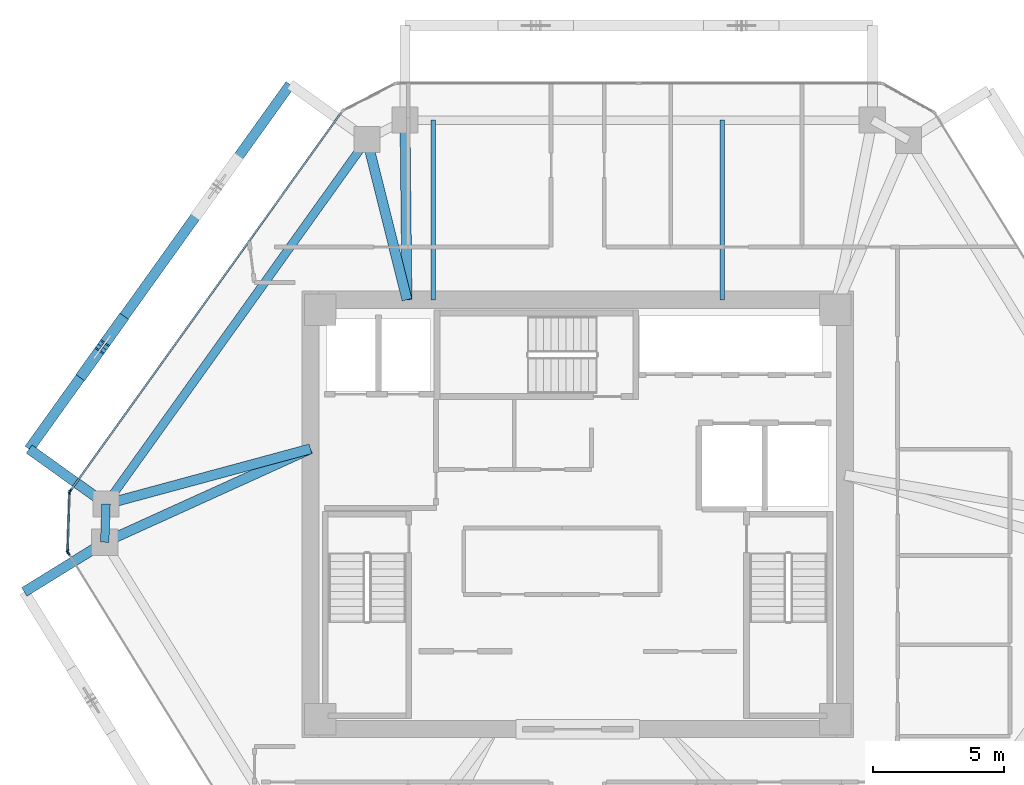
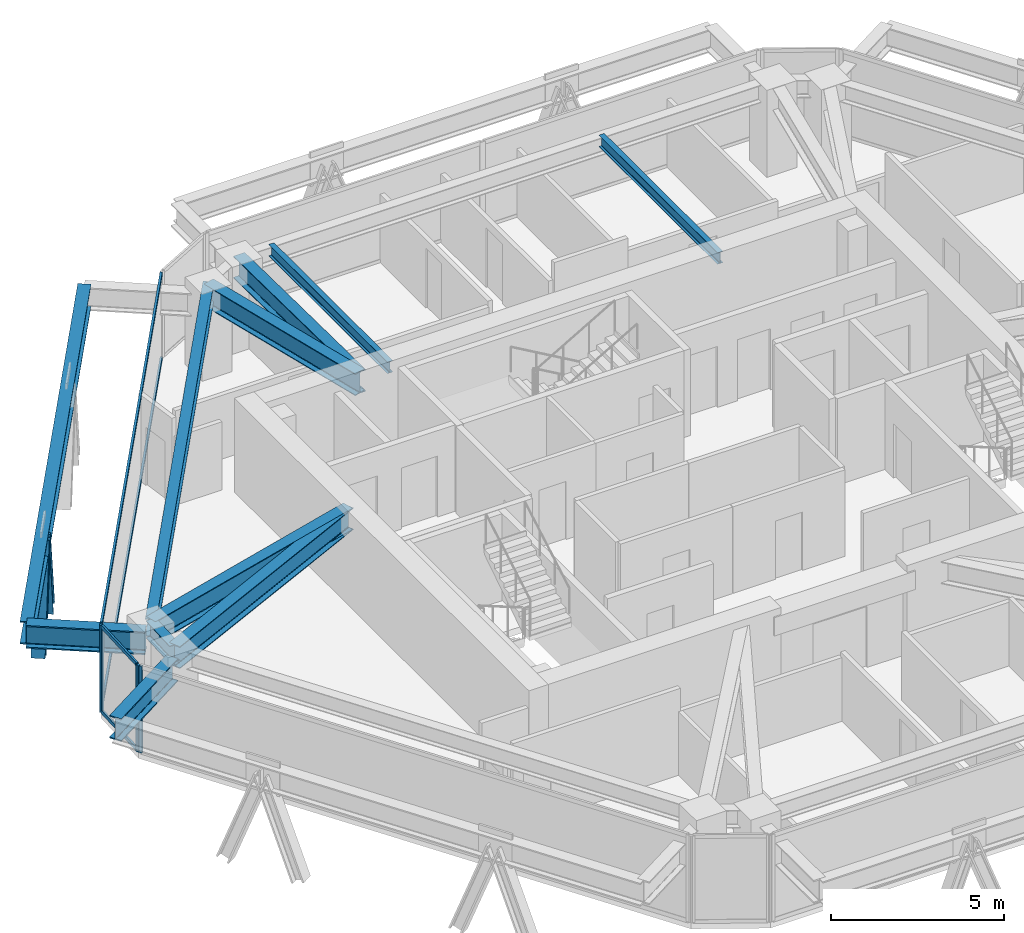
# One storey, part 4 of 14: 11 beams, 10 members, 3 elements without a shape of their own.
"""IFC4 building model written with IfcOpenShell, lengths in metres."""

from ifc_helpers import new_model, si_unit, direction, frame, origin, origin_2d, place, context, subcontext, project, spatial, rectangle, i_section, extrude, source, transform, mapped, material, layer, layer_set, material_profile, profile_set, type_object, type_shapes, element, aggregate, save


model = new_model("IFC4")

# Units and contexts
model_context = context("Model", 3, precision=1e-05, world=origin(), true_north=direction((0.0, 1.0)))
body_context = subcontext(model_context, "Body", "Model", "MODEL_VIEW")
ifc_project = project(units=[si_unit("LENGTHUNIT", "METRE"), si_unit("AREAUNIT", "SQUARE_METRE"), si_unit("VOLUMEUNIT", "CUBIC_METRE"), si_unit("PLANEANGLEUNIT", "RADIAN"), si_unit("MASSUNIT", "GRAM", prefix="KILO")], contexts=[model_context])

# Site, building, storey
site_placement = place(None, origin())
site = spatial("IfcSite", under=ifc_project, at=site_placement, CompositionType="ELEMENT")
building_placement = place(site_placement, origin())
building = spatial("IfcBuilding", under=site, at=building_placement, Name="Durnholm Broadcast Tower", CompositionType="ELEMENT")
storey_placement = place(building_placement, frame((0.0, 0.0, 173.800048828125)))
storey = spatial("IfcBuildingStorey", under=building, at=storey_placement, Name="L47", CompositionType="ELEMENT", Elevation=173.800048828125)

# Beams
ifc_material_1 = material(Name="Steel ASTM A992 Grade 50", Category="steel")
ifc_material_profile_1 = material_profile(ifc_material_1, i_section(OverallWidth=0.385009765625, OverallDepth=0.802978515625, WebThickness=0.023681640625, FlangeThickness=0.0419921875, FilletRadius=0.032958984375, at=origin_2d()), Name="W30X261")
ifc_profile_set_1 = profile_set([ifc_material_profile_1], Name="Steel ASTM A992 Grade 50")
beam_type_1 = type_object("IfcBeamType", Name="BM-EXO-TIE", PredefinedType="USERDEFINED", material=ifc_profile_set_1)
shared_shape_1 = source(origin(), body_context, "Body", "SweptSolid", [
    extrude(i_section(OverallWidth=0.385009765625, OverallDepth=0.802978515625, WebThickness=0.023681640625, FlangeThickness=0.0419921875, FilletRadius=0.032958984375, at=origin_2d()), origin(), (0.0, 0.0, 1.0), 3.4560546875),
])
beam_1_placement = place(storey_placement, frame((-18.131591796875, -1.13232421875, 2.30859375), z_axis=(-0.850662348375, -0.525712439512, 0.0), x_axis=(0.525712439512, -0.850662348375, 0.0)))
element("IfcBeam", 1, at=beam_1_placement, inside=storey, type_object=beam_type_1, Name="L47 exoskeleton stand-off tie bracket F6.1", ObjectType="GIRDER", PredefinedType="USERDEFINED", context=body_context, shape_type="MappedRepresentation", body=[
    mapped(shared_shape_1, transform((0.0, 0.0, 0.0), x_axis=(1.0, 0.0, 0.0), y_axis=(0.0, 1.0, 0.0), z_axis=(0.0, 0.0, 1.0), scale=1.0)),
])
shared_shape_2 = source(origin(), body_context, "Body", "SweptSolid", [
    extrude(i_section(OverallWidth=0.385009765625, OverallDepth=0.802978515625, WebThickness=0.023681640625, FlangeThickness=0.0419921875, FilletRadius=0.032958984375, at=origin_2d()), origin(), (0.0, 0.0, 1.0), 3.455810546875),
])
beam_2_placement = place(storey_placement, frame((-18.076904296875, 0.4794921875, 2.30859375), z_axis=(-0.813112485828, 0.582106592808, 0.0), x_axis=(-0.582106592808, -0.813112485828, 0.0)))
element("IfcBeam", 2, at=beam_2_placement, inside=storey, type_object=beam_type_1, Name="L47 exoskeleton stand-off tie bracket F5.2", ObjectType="GIRDER", PredefinedType="USERDEFINED", context=body_context, shape_type="MappedRepresentation", body=[
    mapped(shared_shape_2, transform((0.0, 0.0, 0.0), x_axis=(1.0, 0.0, 0.0), y_axis=(0.0, 1.0, 0.0), z_axis=(0.0, 0.0, 1.0), scale=1.0)),
])
ifc_material_profile_2 = material_profile(ifc_material_1, i_section(OverallWidth=0.3251953125, OverallDepth=0.6162109375, WebThickness=0.013916015625, FlangeThickness=0.021484375, FilletRadius=0.02783203125, at=origin_2d()), Name="W24X117")
ifc_profile_set_2 = profile_set([ifc_material_profile_2], Name="Steel ASTM A992 Grade 50")
beam_type_2 = type_object("IfcBeamType", Name="STL-SP-W24X117", PredefinedType="SPANDREL", material=ifc_profile_set_2)
shared_shape_3 = source(origin(), body_context, "Body", "SweptSolid", [
    extrude(i_section(OverallWidth=0.3251953125, OverallDepth=0.6162109375, WebThickness=0.013916015625, FlangeThickness=0.021484375, FilletRadius=0.02783203125, at=origin_2d()), origin(), (0.0, 0.0, 1.0), 1.452880859375),
])
beam_3_placement = place(storey_placement, frame((-18.009033203125, -1.056640625, 2.73681640625), z_axis=(0.03377359304, 0.999429509477, 0.0), x_axis=(-0.999429509477, 0.03377359304, 0.0)))
element("IfcBeam", 3, at=beam_3_placement, inside=storey, type_object=beam_type_2, Name="L47 perimeter spandrel girder 02", PredefinedType="SPANDREL", context=body_context, shape_type="MappedRepresentation", body=[
    mapped(shared_shape_3, transform((0.0, 0.0, 0.0), x_axis=(1.0, 0.0, 0.0), y_axis=(0.0, 1.0, 0.0), z_axis=(0.0, 0.0, 1.0), scale=1.0)),
])
shared_shape_4 = source(origin(), body_context, "Body", "SweptSolid", [
    extrude(i_section(OverallWidth=0.3251953125, OverallDepth=0.6162109375, WebThickness=0.013916015625, FlangeThickness=0.021484375, FilletRadius=0.02783203125, at=origin_2d()), origin(), (0.0, 0.0, 1.0), 17.07177734375),
])
type_shapes(beam_type_2, [shared_shape_3, shared_shape_4])
beam_4_placement = place(storey_placement, frame((-17.9599609375, 0.3955078125, 2.73681640625), z_axis=(0.582142843258, 0.813086532937, 0.0), x_axis=(-0.813086532937, 0.582142843258, 0.0)))
element("IfcBeam", 4, at=beam_4_placement, inside=storey, type_object=beam_type_2, Name="L47 perimeter spandrel girder 03", PredefinedType="SPANDREL", context=body_context, shape_type="MappedRepresentation", body=[
    mapped(shared_shape_4, transform((0.0, 0.0, 0.0), x_axis=(1.0, 0.0, 0.0), y_axis=(0.0, 1.0, 0.0), z_axis=(0.0, 0.0, 1.0), scale=1.0)),
])
shared_shape_5 = source(origin(), body_context, "Body", "SweptSolid", [
    extrude(i_section(OverallWidth=0.385009765625, OverallDepth=0.802978515625, WebThickness=0.023681640625, FlangeThickness=0.0419921875, FilletRadius=0.032958984375, at=origin_2d()), origin(), (0.0, 0.0, 1.0), 17.07177734375),
])
type_shapes(beam_type_1, [shared_shape_1, shared_shape_2, shared_shape_5])
beam_5_placement = place(storey_placement, frame((-10.948974609375, 16.3720703125, 2.30859375), z_axis=(-0.582133388739, -0.813093301974, 0.0), x_axis=(0.813093301974, -0.582133388739, 0.0)))
element("IfcBeam", 5, at=beam_5_placement, inside=storey, type_object=beam_type_1, Name="L47 exoskeleton collector spandrel F5", PredefinedType="SPANDREL", context=body_context, shape_type="MappedRepresentation", body=[
    mapped(shared_shape_5, transform((0.0, 0.0, 0.0), x_axis=(1.0, 0.0, 0.0), y_axis=(0.0, 1.0, 0.0), z_axis=(0.0, 0.0, 1.0), scale=1.0)),
])
ifc_material_profile_3 = material_profile(ifc_material_1, i_section(OverallWidth=0.380615234375, OverallDepth=0.773193359375, WebThickness=0.0166015625, FlangeThickness=0.027099609375, FilletRadius=0.032958984375, at=origin_2d()), Name="W30X173")
ifc_profile_set_3 = profile_set([ifc_material_profile_3], Name="Steel ASTM A992 Grade 50")
beam_type_3 = type_object("IfcBeamType", Name="STL-GR-W30X173", PredefinedType="USERDEFINED", material=ifc_profile_set_3)
shared_shape_6 = source(origin(), body_context, "Body", "SweptSolid", [
    extrude(i_section(OverallWidth=0.380615234375, OverallDepth=0.773193359375, WebThickness=0.0166015625, FlangeThickness=0.027099609375, FilletRadius=0.032958984375, at=origin_2d()), origin(), (0.0, 0.0, 1.0), 8.603515625),
])
beam_6_placement = place(storey_placement, frame((-10.175048828125, 2.5, 2.658447265625), z_axis=(-0.910552971728, -0.413392411248, 0.0), x_axis=(0.413392411248, -0.910552971728, 0.0)))
element("IfcBeam", 6, at=beam_6_placement, inside=storey, type_object=beam_type_3, Name="L47 radial primary floor girder 02", ObjectType="GIRDER", PredefinedType="USERDEFINED", context=body_context, shape_type="MappedRepresentation", body=[
    mapped(shared_shape_6, transform((0.0, 0.0, 0.0), x_axis=(1.0, 0.0, 0.0), y_axis=(0.0, 1.0, 0.0), z_axis=(0.0, 0.0, 1.0), scale=1.0)),
])
shared_shape_7 = source(origin(), body_context, "Body", "SweptSolid", [
    extrude(i_section(OverallWidth=0.380615234375, OverallDepth=0.773193359375, WebThickness=0.0166015625, FlangeThickness=0.027099609375, FilletRadius=0.032958984375, at=origin_2d()), origin(), (0.0, 0.0, 1.0), 8.064453125),
])
beam_7_placement = place(storey_placement, frame((-10.175048828125, 2.5, 2.658447265625), z_axis=(-0.96534896552, -0.260962401066, 0.0), x_axis=(0.260962401066, -0.96534896552, 0.0)))
element("IfcBeam", 7, at=beam_7_placement, inside=storey, type_object=beam_type_3, Name="L47 radial primary floor girder 03", ObjectType="GIRDER", PredefinedType="USERDEFINED", context=body_context, shape_type="MappedRepresentation", body=[
    mapped(shared_shape_7, transform((0.0, 0.0, 0.0), x_axis=(1.0, 0.0, 0.0), y_axis=(0.0, 1.0, 0.0), z_axis=(0.0, 0.0, 1.0), scale=1.0)),
])
shared_shape_8 = source(origin(), body_context, "Body", "SweptSolid", [
    extrude(i_section(OverallWidth=0.380615234375, OverallDepth=0.773193359375, WebThickness=0.0166015625, FlangeThickness=0.027099609375, FilletRadius=0.032958984375, at=origin_2d()), origin(), (0.0, 0.0, 1.0), 6.288330078125),
])
beam_8_placement = place(storey_placement, frame((-6.5, 8.175048828125, 2.658447265625), z_axis=(-0.241996604408, 0.970277096223, 0.0), x_axis=(-0.970277096223, -0.241996604408, 0.0)))
element("IfcBeam", 8, at=beam_8_placement, inside=storey, type_object=beam_type_3, Name="L47 radial primary floor girder 04", ObjectType="GIRDER", PredefinedType="USERDEFINED", context=body_context, shape_type="MappedRepresentation", body=[
    mapped(shared_shape_8, transform((0.0, 0.0, 0.0), x_axis=(1.0, 0.0, 0.0), y_axis=(0.0, 1.0, 0.0), z_axis=(0.0, 0.0, 1.0), scale=1.0)),
])
shared_shape_9 = source(origin(), body_context, "Body", "SweptSolid", [
    extrude(i_section(OverallWidth=0.380615234375, OverallDepth=0.773193359375, WebThickness=0.0166015625, FlangeThickness=0.027099609375, FilletRadius=0.032958984375, at=origin_2d()), origin(), (0.0, 0.0, 1.0), 6.843505859375),
])
type_shapes(beam_type_3, [shared_shape_6, shared_shape_7, shared_shape_8, shared_shape_9])
beam_9_placement = place(storey_placement, frame((-6.5, 8.175048828125, 2.658447265625), z_axis=(-0.011487343604, 0.999934018292, 0.0), x_axis=(-0.999934018292, -0.011487343604, 0.0)))
element("IfcBeam", 9, at=beam_9_placement, inside=storey, type_object=beam_type_3, Name="L47 radial primary floor girder 05", ObjectType="GIRDER", PredefinedType="USERDEFINED", context=body_context, shape_type="MappedRepresentation", body=[
    mapped(shared_shape_9, transform((0.0, 0.0, 0.0), x_axis=(1.0, 0.0, 0.0), y_axis=(0.0, 1.0, 0.0), z_axis=(0.0, 0.0, 1.0), scale=1.0)),
])
ifc_material_profile_4 = material_profile(ifc_material_1, i_section(OverallWidth=0.177734375, OverallDepth=0.40673828125, WebThickness=0.0078125, FlangeThickness=0.0126953125, FilletRadius=0.01904296875, at=origin_2d()), Name="W16X40")
ifc_profile_set_4 = profile_set([ifc_material_profile_4], Name="Steel ASTM A992 Grade 50")
beam_type_4 = type_object("IfcBeamType", Name="STL-BJ-W16X40", PredefinedType="JOIST", material=ifc_profile_set_4)
shared_shape_10 = source(origin(), body_context, "Body", "SweptSolid", [
    extrude(i_section(OverallWidth=0.177734375, OverallDepth=0.40673828125, WebThickness=0.0078125, FlangeThickness=0.0126953125, FilletRadius=0.01904296875, at=origin_2d()), origin(), (0.0, 0.0, 1.0), 6.843017578125),
])
type_shapes(beam_type_4, [shared_shape_10])
for number, where, z_axis, x_axis, name in (
    (10, (-5.5, 8.175048828125, 2.841552734375), (0.0, 1.0, 0.0), (-1.0, 0.0, 0.0), "L47 secondary floor joist 3.2"),
    (11, (5.5, 8.175048828125, 2.841552734375), (0.0, 1.0, 0.0), (-1.0, 0.0, 0.0), "L47 secondary floor joist 4.2"),
):
    element("IfcBeam", number, at=place(storey_placement, frame(where, z_axis=z_axis, x_axis=x_axis)), inside=storey, type_object=beam_type_4, Name=name, PredefinedType="JOIST", context=body_context, shape_type="MappedRepresentation", body=[
        mapped(shared_shape_10, transform((0.0, 0.0, 0.0), x_axis=(1.0, 0.0, 0.0), y_axis=(0.0, 1.0, 0.0), z_axis=(0.0, 0.0, 1.0), scale=1.0)),
    ])

# Members
ifc_material_2 = material(Name="Steel ASTM A913 Grade 65", Category="steel")
ifc_material_profile_5 = material_profile(ifc_material_2, i_section(OverallWidth=0.412109375, OverallDepth=0.434814453125, WebThickness=0.035888671875, FlangeThickness=0.057373046875, FilletRadius=0.030517578125, at=origin_2d()), Name="W14X311")
ifc_profile_set_5 = profile_set([ifc_material_profile_5], Name="Steel ASTM A913 Grade 65")
member_type_1 = type_object("IfcMemberType", Name="STL-DG-W14X311", PredefinedType="BRACE", material=ifc_profile_set_5)
shared_shape_11 = source(origin(), body_context, "Body", "SweptSolid", [
    extrude(i_section(OverallWidth=0.412109375, OverallDepth=0.434814453125, WebThickness=0.035888671875, FlangeThickness=0.057373046875, FilletRadius=0.030517578125, at=origin_2d()), origin(), (0.0, 0.0, 1.0), 3.523193359375),
])
type_shapes(member_type_1, [shared_shape_11])
for number, where, z_axis, x_axis, name in (
    (12, (-17.38623046875, 7.381103515625, -0.991455078125), (-0.203869234398, -0.284737826017, 0.936675880815), (0.813077820009, -0.582155012526, 0.0), "L47 stand-off diagrid brace F5.D2.1"),
    (13, (-18.822509765625, 5.374755859375, -0.991455078125), (0.203802816986, 0.284741848009, 0.936689111595), (-0.813171482985, 0.58202417412, 0.0), "L47 stand-off diagrid brace F5.D2.2"),
):
    element("IfcMember", number, at=place(storey_placement, frame(where, z_axis=z_axis, x_axis=x_axis)), inside=storey, type_object=member_type_1, Name=name, PredefinedType="BRACE", context=body_context, shape_type="MappedRepresentation", body=[
        mapped(shared_shape_11, transform((0.0, 0.0, 0.0), x_axis=(1.0, 0.0, 0.0), y_axis=(0.0, 1.0, 0.0), z_axis=(0.0, 0.0, 1.0), scale=1.0)),
    ])

# Curtain wall, members
ifc_material_3 = material(Name="Aluminium and Solar Control IGU", Category="aluminium")
ifc_layer_1 = layer(ifc_material_3, 0.1650390625)
ifc_layer_set_1 = layer_set([ifc_layer_1], Name="Aluminium and Solar Control IGU")
curtain_wall_type_1 = type_object("IfcCurtainWallType", Name="CW-SYS-5", PredefinedType="NOTDEFINED", material=ifc_layer_set_1)
curtain_wall_1_placement = place(storey_placement, origin())
curtain_wall_1 = element("IfcCurtainWall", 14, at=curtain_wall_1_placement, inside=storey, type_object=curtain_wall_type_1, Name="L47 curtain wall CW-CORNER CW-L47-CRN-01", PredefinedType="NOTDEFINED")
ifc_material_4 = material(Name="Aluminium 6063-T6", Category="aluminium")
ifc_material_profile_6 = material_profile(ifc_material_4, rectangle(XDim=0.06494140625, YDim=0.1650390625, at=origin_2d()), Name="CWM65X165")
ifc_profile_set_6 = profile_set([ifc_material_profile_6], Name="Aluminium 6063-T6")
member_type_2 = type_object("IfcMemberType", Name="CW-SYS-5-MUL", PredefinedType="MULLION", material=ifc_profile_set_6)
shared_shape_12 = source(origin(), body_context, "Body", "SweptSolid", [
    extrude(rectangle(XDim=0.06494140625, YDim=0.1650390625, at=origin_2d()), origin(), (0.0, 0.0, 1.0), 3.06005859375),
])
type_shapes(member_type_2, [shared_shape_12])
member_1_placement = place(storey_placement, frame((-19.421630859375, -1.39990234375, 0.0), z_axis=(0.0, 0.0, 1.0), x_axis=(-0.999424798802, 0.033912704699, 0.0)))
member_1 = element("IfcMember", 15, at=member_1_placement, type_object=member_type_2, Name="CW-CORNER mullion 1", PredefinedType="MULLION", context=body_context, shape_type="MappedRepresentation", body=[
    mapped(shared_shape_12, transform((0.0, 0.0, 0.0), x_axis=(1.0, 0.0, 0.0), y_axis=(0.0, 1.0, 0.0), z_axis=(0.0, 0.0, 1.0), scale=1.0)),
])
member_2_placement = place(storey_placement, frame((-19.345703125, 0.833740234375, 0.0), z_axis=(0.0, 0.0, 1.0), x_axis=(-0.999424798802, 0.033912704699, 0.0)))
member_2 = element("IfcMember", 16, at=member_2_placement, type_object=member_type_2, Name="CW-CORNER mullion 2", PredefinedType="MULLION", context=body_context, shape_type="MappedRepresentation", body=[
    mapped(shared_shape_12, transform((0.0, 0.0, 0.0), x_axis=(1.0, 0.0, 0.0), y_axis=(0.0, 1.0, 0.0), z_axis=(0.0, 0.0, 1.0), scale=1.0)),
])
ifc_material_profile_7 = material_profile(ifc_material_4, rectangle(XDim=0.06494140625, YDim=0.1298828125, at=origin_2d()), Name="CWT65X130")
ifc_profile_set_7 = profile_set([ifc_material_profile_7], Name="Aluminium 6063-T6")
member_type_3 = type_object("IfcMemberType", Name="CW-SYS-5-TRN", PredefinedType="USERDEFINED", material=ifc_profile_set_7)
shared_shape_13 = source(origin(), body_context, "Body", "SweptSolid", [
    extrude(rectangle(XDim=0.06494140625, YDim=0.1298828125, at=origin_2d()), origin(), (0.0, 0.0, 1.0), 2.169921875),
])
type_shapes(member_type_3, [shared_shape_13])
member_3_placement = place(storey_placement, frame((-19.42041015625, -1.367431640625, 0.032470703125), z_axis=(0.033865512339, 0.999426399028, 0.0), x_axis=(-0.999426399028, 0.033865512339, 0.0)))
member_3 = element("IfcMember", 17, at=member_3_placement, type_object=member_type_3, Name="CW-CORNER transom 1.1", ObjectType="TRANSOM", PredefinedType="USERDEFINED", context=body_context, shape_type="MappedRepresentation", body=[
    mapped(shared_shape_13, transform((0.0, 0.0, 0.0), x_axis=(1.0, 0.0, 0.0), y_axis=(0.0, 1.0, 0.0), z_axis=(0.0, 0.0, 1.0), scale=1.0)),
])
member_4_placement = place(storey_placement, frame((-19.42041015625, -1.367431640625, 3.02734375), z_axis=(0.033865512339, 0.999426399028, 0.0), x_axis=(-0.999426399028, 0.033865512339, 0.0)))
member_4 = element("IfcMember", 18, at=member_4_placement, type_object=member_type_3, Name="CW-CORNER transom 1.2", ObjectType="TRANSOM", PredefinedType="USERDEFINED", context=body_context, shape_type="MappedRepresentation", body=[
    mapped(shared_shape_13, transform((0.0, 0.0, 0.0), x_axis=(1.0, 0.0, 0.0), y_axis=(0.0, 1.0, 0.0), z_axis=(0.0, 0.0, 1.0), scale=1.0)),
])
aggregate(curtain_wall_1, [member_1, member_2, member_3, member_4])

ifc_layer_2 = layer(ifc_material_3, 0.18994140625)
ifc_layer_set_2 = layer_set([ifc_layer_2], Name="Aluminium and Solar Control IGU")
curtain_wall_type_2 = type_object("IfcCurtainWallType", Name="CW-SYS-4", PredefinedType="NOTDEFINED", material=ifc_layer_set_2)
curtain_wall_2_placement = place(storey_placement, origin())
curtain_wall_2 = element("IfcCurtainWall", 19, at=curtain_wall_2_placement, inside=storey, type_object=curtain_wall_type_2, Name="L47 curtain wall CW-Z34-VIS CW-L47-F02", PredefinedType="NOTDEFINED")
ifc_material_profile_8 = material_profile(ifc_material_4, rectangle(XDim=0.070068359375, YDim=0.14990234375, at=origin_2d()), Name="CWT70X150")
ifc_profile_set_8 = profile_set([ifc_material_profile_8], Name="Aluminium 6063-T6")
member_type_4 = type_object("IfcMemberType", Name="CW-SYS-4-TRN", PredefinedType="USERDEFINED", material=ifc_profile_set_8)
shared_shape_14 = source(origin(), body_context, "Body", "SweptSolid", [
    extrude(rectangle(XDim=0.070068359375, YDim=0.14990234375, at=origin_2d()), origin(), (0.0, 0.0, 1.0), 17.69384765625),
])
type_shapes(member_type_4, [shared_shape_14])
member_5_placement = place(storey_placement, frame((-19.303955078125, 0.923095703125, 0.034912109375), z_axis=(0.582138438195, 0.813089686797, 0.0), x_axis=(-0.813089686797, 0.582138438195, 0.0)))
member_5 = element("IfcMember", 20, at=member_5_placement, type_object=member_type_4, Name="CW-Z34-VIS transom 1.1", ObjectType="TRANSOM", PredefinedType="USERDEFINED", context=body_context, shape_type="MappedRepresentation", body=[
    mapped(shared_shape_14, transform((0.0, 0.0, 0.0), x_axis=(1.0, 0.0, 0.0), y_axis=(0.0, 1.0, 0.0), z_axis=(0.0, 0.0, 1.0), scale=1.0)),
])
member_6_placement = place(storey_placement, frame((-19.303955078125, 0.923095703125, 3.02490234375), z_axis=(0.582138438195, 0.813089686797, 0.0), x_axis=(-0.813089686797, 0.582138438195, 0.0)))
member_6 = element("IfcMember", 21, at=member_6_placement, type_object=member_type_4, Name="CW-Z34-VIS transom 1.2", ObjectType="TRANSOM", PredefinedType="USERDEFINED", context=body_context, shape_type="MappedRepresentation", body=[
    mapped(shared_shape_14, transform((0.0, 0.0, 0.0), x_axis=(1.0, 0.0, 0.0), y_axis=(0.0, 1.0, 0.0), z_axis=(0.0, 0.0, 1.0), scale=1.0)),
])
ifc_material_profile_9 = material_profile(ifc_material_4, rectangle(XDim=0.070068359375, YDim=0.18994140625, at=origin_2d()), Name="CWM70X190")
ifc_profile_set_9 = profile_set([ifc_material_profile_9], Name="Aluminium 6063-T6")
member_type_5 = type_object("IfcMemberType", Name="CW-SYS-4-MUL", PredefinedType="MULLION", material=ifc_profile_set_9)
shared_shape_15 = source(origin(), body_context, "Body", "SweptSolid", [
    extrude(rectangle(XDim=0.070068359375, YDim=0.18994140625, at=origin_2d()), origin(), (0.0, 0.0, 1.0), 3.06005859375),
])
type_shapes(member_type_5, [shared_shape_15])
member_7_placement = place(storey_placement, frame((-19.32421875, 0.894775390625, 0.0), z_axis=(0.0, 0.0, 1.0), x_axis=(-0.813089262696, 0.582139030549, 0.0)))
member_7 = element("IfcMember", 22, at=member_7_placement, type_object=member_type_5, Name="CW-Z34-VIS mullion 1", PredefinedType="MULLION", context=body_context, shape_type="MappedRepresentation", body=[
    mapped(shared_shape_15, transform((0.0, 0.0, 0.0), x_axis=(1.0, 0.0, 0.0), y_axis=(0.0, 1.0, 0.0), z_axis=(0.0, 0.0, 1.0), scale=1.0)),
])
aggregate(curtain_wall_2, [member_7, member_5, member_6])

# Curtain wall, member
curtain_wall_3_placement = place(storey_placement, origin())
curtain_wall_3 = element("IfcCurtainWall", 23, at=curtain_wall_3_placement, inside=storey, type_object=curtain_wall_type_2, Name="L47 curtain wall CW-Z34-VIS CW-L47-F12", PredefinedType="NOTDEFINED")
member_8_placement = place(storey_placement, frame((-19.404296875, -1.462158203125, 0.0), z_axis=(0.0, 0.0, 1.0), x_axis=(-0.850671426092, -0.525697750452, 0.0)))
member_8 = element("IfcMember", 24, at=member_8_placement, type_object=member_type_5, Name="CW-Z34-VIS mullion 2", PredefinedType="MULLION", context=body_context, shape_type="MappedRepresentation", body=[
    mapped(shared_shape_15, transform((0.0, 0.0, 0.0), x_axis=(1.0, 0.0, 0.0), y_axis=(0.0, 1.0, 0.0), z_axis=(0.0, 0.0, 1.0), scale=1.0)),
])
aggregate(curtain_wall_3, [member_8])

save(model, "model.ifc")
